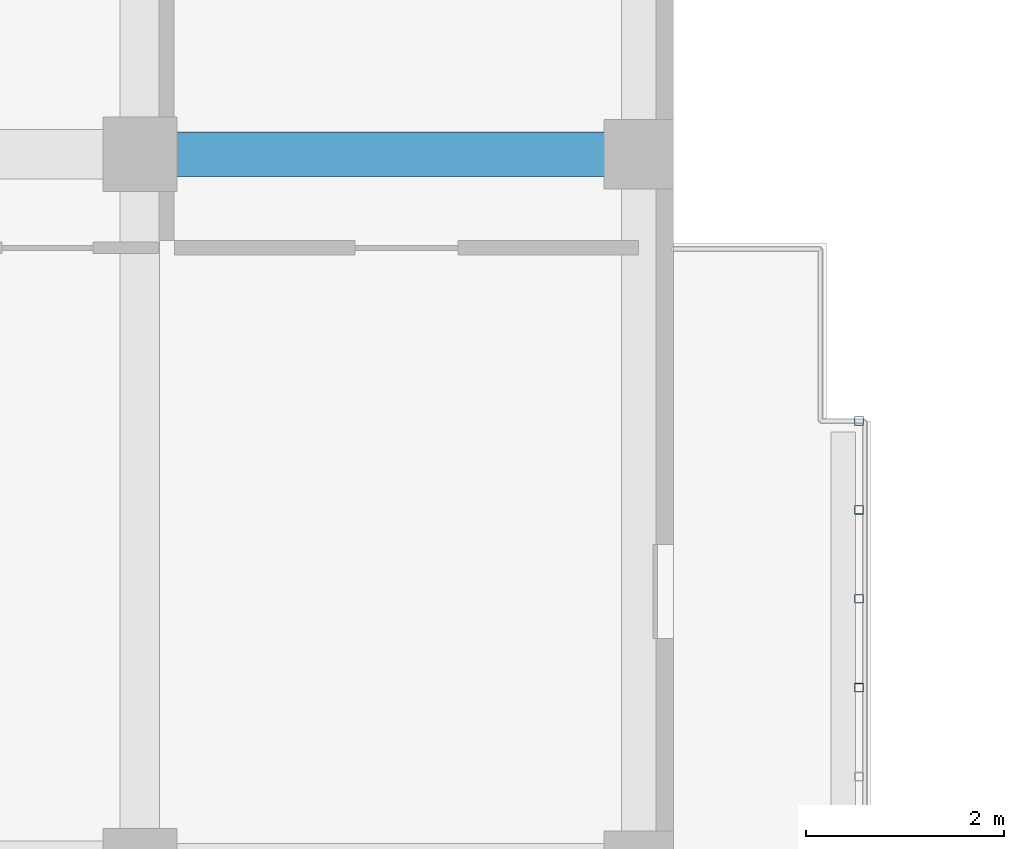
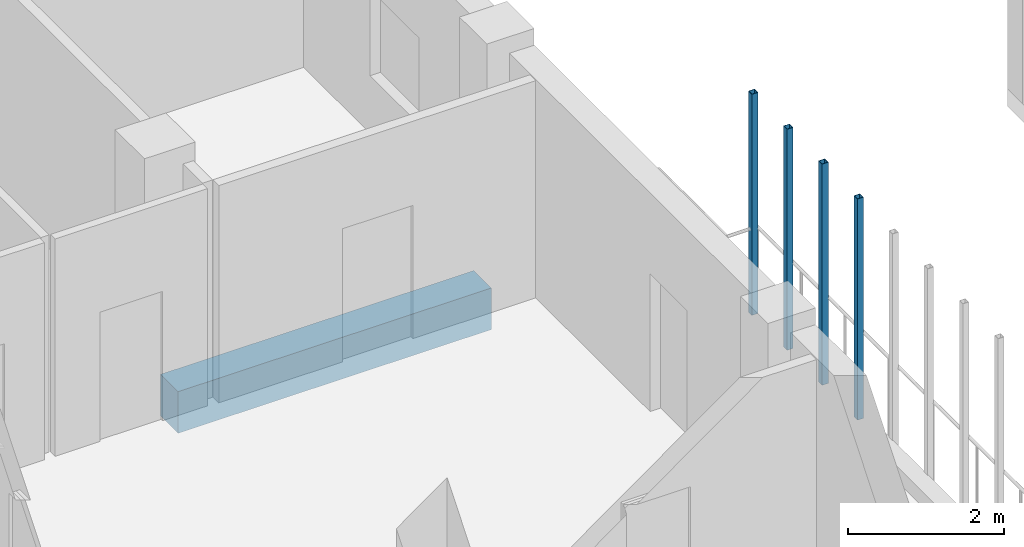
# One storey, part 6 of 73: 4 members, 1 beam.
"""IFC4 building model written with IfcOpenShell, lengths in metres."""

from ifc_helpers import new_model, si_unit, derived_unit, direction, frame, origin, origin_2d, place, context, subcontext, project, spatial, rectangle, hollow_rectangle, extrude, material, material_profile, profile_set, type_object, element, save


model = new_model("IFC4")

# Units and contexts
model_context = context("Model", 3, precision=1e-05, world=origin(), true_north=direction((0.0, 1.0)))
body_context = subcontext(model_context, "Body", "Model", "MODEL_VIEW")
ifc_project = project(units=[si_unit("LENGTHUNIT", "METRE"), si_unit("AREAUNIT", "SQUARE_METRE"), si_unit("VOLUMEUNIT", "CUBIC_METRE"), si_unit("PLANEANGLEUNIT", "RADIAN"), si_unit("MASSUNIT", "GRAM", prefix="KILO"), derived_unit("THERMALTRANSMITTANCEUNIT", [(si_unit("MASSUNIT", "GRAM", prefix="KILO"), 1), (si_unit("TIMEUNIT", "SECOND"), -3), (si_unit("THERMODYNAMICTEMPERATUREUNIT", "KELVIN"), -1)])], contexts=[model_context])

# Site, building, storey
site_placement = place(None, origin())
site = spatial("IfcSite", under=ifc_project, at=site_placement, CompositionType="ELEMENT")
building_placement = place(site_placement, origin())
building = spatial("IfcBuilding", under=site, at=building_placement, Name="Ochrekiln Boulevard Commons", CompositionType="ELEMENT")
storey_placement = place(building_placement, frame((0.0, 0.0, 4.89990234375)))
storey = spatial("IfcBuildingStorey", under=building, at=storey_placement, Name="L01", CompositionType="ELEMENT", Elevation=4.89990234375)

# Beam
ifc_material_1 = material(Name="Concrete C35/45", Category="concrete")
ifc_material_profile_1 = material_profile(ifc_material_1, rectangle(XDim=0.449951171875, YDim=0.64990234375, at=origin_2d()), Name="RC-BM-450x650")
ifc_profile_set_1 = profile_set([ifc_material_profile_1], Name="Concrete C35/45")
beam_type = type_object("IfcBeamType", Name="BM-RC-450x650", PredefinedType="BEAM", material=ifc_profile_set_1)
beam_placement = place(storey_placement, frame((16.409912109375, 21.60009765625, -0.5849609375), z_axis=(1.0, 0.0, 0.0), x_axis=(0.0, 1.0, 0.0)))
element("IfcBeam", 1, at=beam_placement, inside=storey, type_object=beam_type, Name="Block D L01 Beam B-4565 X11", PredefinedType="BEAM", context=body_context, shape_type="SweptSolid", body=[
    extrude(rectangle(XDim=0.449951171875, YDim=0.64990234375, at=origin_2d()), origin(), (0.0, 0.0, 1.0), 4.630126953125),
])

# Members
ifc_material_2 = material(Name="Steel A500 Grade C", Category="steel")
ifc_material_profile_2 = material_profile(ifc_material_2, hollow_rectangle(XDim=0.090087890625, YDim=0.090087890625, WallThickness=0.00634765625, at=origin_2d()), Name="HSS90X90X6.4")
ifc_profile_set_2 = profile_set([ifc_material_profile_2], Name="Steel A500 Grade C")
member_type = type_object("IfcMemberType", Name="MEM-PST-HSS90", PredefinedType="POST", material=ifc_profile_set_2)
for number, where, z_axis, x_axis, name in (
    (2, (23.47998046875, 16.199951171875, 0.0), (0.0, 0.0, 1.0), (1.0, 0.0, 0.0), "Block D L01 Slim Vertical Balcony Post (283)"),
    (3, (23.47998046875, 17.10009765625, 0.0), (0.0, 0.0, 1.0), (1.0, 0.0, 0.0), "Block D L01 Slim Vertical Balcony Post (284)"),
    (4, (23.47998046875, 18.0, 0.0), (0.0, 0.0, 1.0), (1.0, 0.0, 0.0), "Block D L01 Slim Vertical Balcony Post (285)"),
    (5, (23.47998046875, 18.89990234375, 0.0), (0.0, 0.0, 1.0), (1.0, 0.0, 0.0), "Block D L01 Slim Vertical Balcony Post (286)"),
):
    element("IfcMember", number, at=place(storey_placement, frame(where, z_axis=z_axis, x_axis=x_axis)), inside=storey, type_object=member_type, Name=name, PredefinedType="POST", context=body_context, shape_type="SweptSolid", body=[
        extrude(hollow_rectangle(XDim=0.090087890625, YDim=0.090087890625, WallThickness=0.00634765625, at=origin_2d()), origin(), (0.0, 0.0, 1.0), 3.455078125),
    ])

save(model, "model.ifc")
